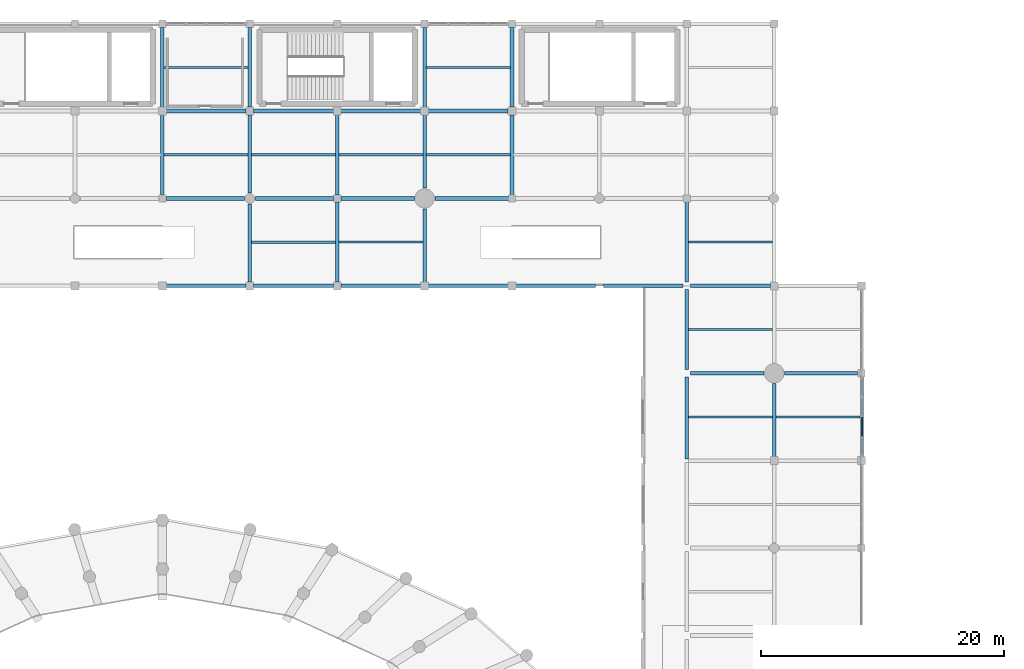
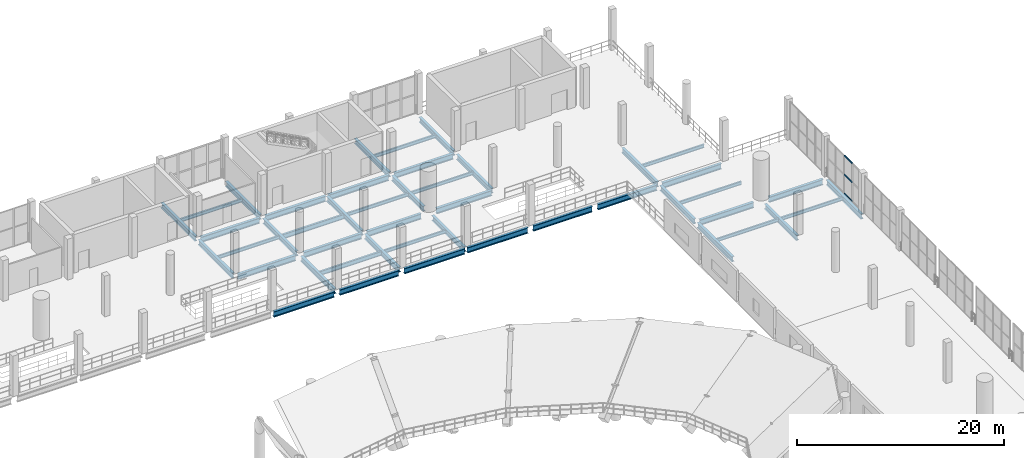
# One storey, part 52 of 105: 46 beams, 3 members, 1 element without a shape of its own.
"""IFC4 building model written with IfcOpenShell, lengths in metres."""

from ifc_helpers import new_model, si_unit, direction, frame, origin, origin_2d, place, context, subcontext, project, spatial, hollow_rectangle, i_section, extrude, material, material_profile, profile_set, type_object, element, aggregate, save


model = new_model("IFC4")

# Units and contexts
model_context = context("Model", 3, precision=1e-05, world=origin(), true_north=direction((0.0, 1.0)))
body_context = subcontext(model_context, "Body", "Model", "MODEL_VIEW")
ifc_project = project(units=[si_unit("LENGTHUNIT", "METRE"), si_unit("AREAUNIT", "SQUARE_METRE"), si_unit("VOLUMEUNIT", "CUBIC_METRE"), si_unit("PLANEANGLEUNIT", "RADIAN"), si_unit("MASSUNIT", "GRAM", prefix="KILO")], contexts=[model_context])

# Site, building, storey
site_placement = place(None, origin())
site = spatial("IfcSite", under=ifc_project, at=site_placement, CompositionType="ELEMENT")
building_placement = place(site_placement, origin())
building = spatial("IfcBuilding", under=site, at=building_placement, Name="Qandorah Velis Arena", CompositionType="ELEMENT")
storey_placement = place(building_placement, frame((0.0, 0.0, 13.800048828125)))
storey = spatial("IfcBuildingStorey", under=building, at=storey_placement, Name="L03", CompositionType="ELEMENT", Elevation=13.800048828125)

# Curtain wall, members
ifc_material_1 = material(Name="Solar-control low-E double glazing", Category="glass")
curtain_wall_type = type_object("IfcCurtainWallType", Name="ARC-CW-SYS09", PredefinedType="USERDEFINED", material=ifc_material_1)
curtain_wall_placement = place(storey_placement, origin())
curtain_wall = element("IfcCurtainWall", 1, at=curtain_wall_placement, inside=storey, type_object=curtain_wall_type, Name="Unitised curtain wall L03-177", ObjectType="UNITISED CURTAIN WALL", PredefinedType="USERDEFINED")
ifc_material_2 = material(Name="Champagne-bronze anodized aluminium 6063-T6", Category="aluminium")
ifc_material_profile_1 = material_profile(ifc_material_2, hollow_rectangle(XDim=0.074951171875, YDim=0.159912109375, WallThickness=0.00341796875, at=origin_2d()), Name="ALU TRANSOM 75x160")
ifc_profile_set_1 = profile_set([ifc_material_profile_1], Name="Champagne-bronze anodized aluminium 6063-T6")
member_type = type_object("IfcMemberType", Name="ARC-CWT-160", PredefinedType="USERDEFINED", material=ifc_profile_set_1)
member_1_placement = place(storey_placement, frame((122.39990234375, 95.606689453125, 0.037353515625), z_axis=(0.0, 1.0, 0.0), x_axis=(-1.0, 0.0, 0.0)))
member_1 = element("IfcMember", 2, at=member_1_placement, type_object=member_type, Name="CW09 transom 2.1", ObjectType="TRANSOM", PredefinedType="USERDEFINED", context=body_context, shape_type="SweptSolid", body=[
    extrude(hollow_rectangle(XDim=0.074951171875, YDim=0.159912109375, WallThickness=0.00341796875, at=origin_2d()), origin(), (0.0, 0.0, 1.0), 1.580322265625),
])
member_2_placement = place(storey_placement, frame((122.39990234375, 95.606689453125, 2.264892578125), z_axis=(0.0, 1.0, 0.0), x_axis=(-1.0, 0.0, 0.0)))
member_2 = element("IfcMember", 3, at=member_2_placement, type_object=member_type, Name="CW09 transom 2.2", ObjectType="TRANSOM", PredefinedType="USERDEFINED", context=body_context, shape_type="SweptSolid", body=[
    extrude(hollow_rectangle(XDim=0.074951171875, YDim=0.159912109375, WallThickness=0.00341796875, at=origin_2d()), origin(), (0.0, 0.0, 1.0), 1.580322265625),
])
member_3_placement = place(storey_placement, frame((122.39990234375, 95.606689453125, 4.492431640625), z_axis=(0.0, 1.0, 0.0), x_axis=(-1.0, 0.0, 0.0)))
member_3 = element("IfcMember", 4, at=member_3_placement, type_object=member_type, Name="CW09 transom 2.3", ObjectType="TRANSOM", PredefinedType="USERDEFINED", context=body_context, shape_type="SweptSolid", body=[
    extrude(hollow_rectangle(XDim=0.074951171875, YDim=0.159912109375, WallThickness=0.00341796875, at=origin_2d()), origin(), (0.0, 0.0, 1.0), 1.580322265625),
])
aggregate(curtain_wall, [member_1, member_2, member_3])

# Beams
ifc_material_3 = material(Name="Steel S355", Category="steel")
ifc_material_profile_2 = material_profile(ifc_material_3, i_section(OverallWidth=0.300048828125, OverallDepth=0.60009765625, WebThickness=0.015380859375, FlangeThickness=0.030029296875, FilletRadius=0.027099609375, at=origin_2d()), Name="HEB 600")
ifc_profile_set_2 = profile_set([ifc_material_profile_2], Name="Steel S355")
beam_type_1 = type_object("IfcBeamType", Name="STR-BM-HEB600", PredefinedType="BEAM", material=ifc_profile_set_2)
beam_1_placement = place(storey_placement, frame((64.800048828125, 115.52490234375, -0.6201171875), z_axis=(0.0, 1.0, 0.0), x_axis=(-1.0, 0.0, 0.0)))
element("IfcBeam", 5, at=beam_1_placement, inside=storey, type_object=beam_type_1, Name="Primary floor girder L03 Y-256", PredefinedType="BEAM", context=body_context, shape_type="SweptSolid", body=[
    extrude(i_section(OverallWidth=0.300048828125, OverallDepth=0.60009765625, WebThickness=0.015380859375, FlangeThickness=0.030029296875, FilletRadius=0.027099609375, at=origin_2d()), origin(), (0.0, 0.0, 1.0), 6.5751953125),
])
beam_2_placement = place(storey_placement, frame((64.800048828125, 122.699951171875, -0.6201171875), z_axis=(0.0, 1.0, 0.0), x_axis=(-1.0, 0.0, 0.0)))
element("IfcBeam", 6, at=beam_2_placement, inside=storey, type_object=beam_type_1, Name="Primary floor girder L03 Y-257", PredefinedType="BEAM", context=body_context, shape_type="SweptSolid", body=[
    extrude(i_section(OverallWidth=0.300048828125, OverallDepth=0.60009765625, WebThickness=0.015380859375, FlangeThickness=0.030029296875, FilletRadius=0.027099609375, at=origin_2d()), origin(), (0.0, 0.0, 1.0), 6.60009765625),
])
beam_3_placement = place(storey_placement, frame((72.0, 108.300048828125, -0.6201171875), z_axis=(0.0, 1.0, 0.0), x_axis=(-1.0, 0.0, 0.0)))
element("IfcBeam", 7, at=beam_3_placement, inside=storey, type_object=beam_type_1, Name="Primary floor girder L03 Y-261", PredefinedType="BEAM", context=body_context, shape_type="SweptSolid", body=[
    extrude(i_section(OverallWidth=0.300048828125, OverallDepth=0.60009765625, WebThickness=0.015380859375, FlangeThickness=0.030029296875, FilletRadius=0.027099609375, at=origin_2d()), origin(), (0.0, 0.0, 1.0), 6.449951171875),
])
beam_4_placement = place(storey_placement, frame((72.0, 115.64990234375, -0.6201171875), z_axis=(0.0, 1.0, 0.0), x_axis=(-1.0, 0.0, 0.0)))
element("IfcBeam", 8, at=beam_4_placement, inside=storey, type_object=beam_type_1, Name="Primary floor girder L03 Y-262", PredefinedType="BEAM", context=body_context, shape_type="SweptSolid", body=[
    extrude(i_section(OverallWidth=0.300048828125, OverallDepth=0.60009765625, WebThickness=0.015380859375, FlangeThickness=0.030029296875, FilletRadius=0.027099609375, at=origin_2d()), origin(), (0.0, 0.0, 1.0), 6.425048828125),
])
for number, where, z_axis, x_axis, name in (
    (9, (72.0, 122.72509765625, -0.6201171875), (0.0, 1.0, 0.0), (-1.0, 0.0, 0.0), "Primary floor girder L03 Y-263"),
    (10, (79.199951171875, 108.324951171875, -0.6201171875), (0.0, 1.0, 0.0), (-1.0, 0.0, 0.0), "Primary floor girder L03 Y-266"),
):
    element("IfcBeam", number, at=place(storey_placement, frame(where, z_axis=z_axis, x_axis=x_axis)), inside=storey, type_object=beam_type_1, Name=name, PredefinedType="BEAM", context=body_context, shape_type="SweptSolid", body=[
        extrude(i_section(OverallWidth=0.300048828125, OverallDepth=0.60009765625, WebThickness=0.015380859375, FlangeThickness=0.030029296875, FilletRadius=0.027099609375, at=origin_2d()), origin(), (0.0, 0.0, 1.0), 6.574951171875),
    ])
beam_5_placement = place(storey_placement, frame((79.199951171875, 115.5, -0.6201171875), z_axis=(0.0, 1.0, 0.0), x_axis=(-1.0, 0.0, 0.0)))
element("IfcBeam", 11, at=beam_5_placement, inside=storey, type_object=beam_type_1, Name="Primary floor girder L03 Y-267", PredefinedType="BEAM", context=body_context, shape_type="SweptSolid", body=[
    extrude(i_section(OverallWidth=0.300048828125, OverallDepth=0.60009765625, WebThickness=0.015380859375, FlangeThickness=0.030029296875, FilletRadius=0.027099609375, at=origin_2d()), origin(), (0.0, 0.0, 1.0), 6.75),
])
beam_6_placement = place(storey_placement, frame((86.39990234375, 108.14990234375, -0.6201171875), z_axis=(0.0, 1.0, 0.0), x_axis=(-1.0, 0.0, 0.0)))
element("IfcBeam", 12, at=beam_6_placement, inside=storey, type_object=beam_type_1, Name="Primary floor girder L03 Y-271", PredefinedType="BEAM", context=body_context, shape_type="SweptSolid", body=[
    extrude(i_section(OverallWidth=0.300048828125, OverallDepth=0.60009765625, WebThickness=0.015380859375, FlangeThickness=0.030029296875, FilletRadius=0.027099609375, at=origin_2d()), origin(), (0.0, 0.0, 1.0), 6.2001953125),
])
beam_7_placement = place(storey_placement, frame((86.39990234375, 116.050048828125, -0.6201171875), z_axis=(0.0, 1.0, 0.0), x_axis=(-1.0, 0.0, 0.0)))
element("IfcBeam", 13, at=beam_7_placement, inside=storey, type_object=beam_type_1, Name="Primary floor girder L03 Y-272", PredefinedType="BEAM", context=body_context, shape_type="SweptSolid", body=[
    extrude(i_section(OverallWidth=0.300048828125, OverallDepth=0.60009765625, WebThickness=0.015380859375, FlangeThickness=0.030029296875, FilletRadius=0.027099609375, at=origin_2d()), origin(), (0.0, 0.0, 1.0), 6.050048828125),
])
beam_8_placement = place(storey_placement, frame((86.39990234375, 122.699951171875, -0.6201171875), z_axis=(0.0, 1.0, 0.0), x_axis=(-1.0, 0.0, 0.0)))
element("IfcBeam", 14, at=beam_8_placement, inside=storey, type_object=beam_type_1, Name="Primary floor girder L03 Y-273", PredefinedType="BEAM", context=body_context, shape_type="SweptSolid", body=[
    extrude(i_section(OverallWidth=0.300048828125, OverallDepth=0.60009765625, WebThickness=0.015380859375, FlangeThickness=0.030029296875, FilletRadius=0.027099609375, at=origin_2d()), origin(), (0.0, 0.0, 1.0), 6.60009765625),
])
beam_9_placement = place(storey_placement, frame((93.60009765625, 115.35009765625, -0.6201171875), z_axis=(0.0, 1.0, 0.0), x_axis=(-1.0, 0.0, 0.0)))
element("IfcBeam", 15, at=beam_9_placement, inside=storey, type_object=beam_type_1, Name="Primary floor girder L03 Y-276", PredefinedType="BEAM", context=body_context, shape_type="SweptSolid", body=[
    extrude(i_section(OverallWidth=0.300048828125, OverallDepth=0.60009765625, WebThickness=0.015380859375, FlangeThickness=0.030029296875, FilletRadius=0.027099609375, at=origin_2d()), origin(), (0.0, 0.0, 1.0), 6.724853515625),
])
beam_10_placement = place(storey_placement, frame((93.60009765625, 122.72509765625, -0.6201171875), z_axis=(0.0, 1.0, 0.0), x_axis=(-1.0, 0.0, 0.0)))
element("IfcBeam", 16, at=beam_10_placement, inside=storey, type_object=beam_type_1, Name="Primary floor girder L03 Y-277", PredefinedType="BEAM", context=body_context, shape_type="SweptSolid", body=[
    extrude(i_section(OverallWidth=0.300048828125, OverallDepth=0.60009765625, WebThickness=0.015380859375, FlangeThickness=0.030029296875, FilletRadius=0.027099609375, at=origin_2d()), origin(), (0.0, 0.0, 1.0), 6.574951171875),
])
beam_11_placement = place(storey_placement, frame((108.0, 93.75, -0.6201171875), z_axis=(0.0, 1.0, 0.0), x_axis=(-1.0, 0.0, 0.0)))
element("IfcBeam", 17, at=beam_11_placement, inside=storey, type_object=beam_type_1, Name="Primary floor girder L03 Y-294", PredefinedType="BEAM", context=body_context, shape_type="SweptSolid", body=[
    extrude(i_section(OverallWidth=0.300048828125, OverallDepth=0.60009765625, WebThickness=0.015380859375, FlangeThickness=0.030029296875, FilletRadius=0.027099609375, at=origin_2d()), origin(), (0.0, 0.0, 1.0), 6.72509765625),
])
beam_12_placement = place(storey_placement, frame((108.0, 101.125, -0.6201171875), z_axis=(0.0, 1.0, 0.0), x_axis=(-1.0, 0.0, 0.0)))
element("IfcBeam", 18, at=beam_12_placement, inside=storey, type_object=beam_type_1, Name="Primary floor girder L03 Y-295", PredefinedType="BEAM", context=body_context, shape_type="SweptSolid", body=[
    extrude(i_section(OverallWidth=0.300048828125, OverallDepth=0.60009765625, WebThickness=0.015380859375, FlangeThickness=0.030029296875, FilletRadius=0.027099609375, at=origin_2d()), origin(), (0.0, 0.0, 1.0), 6.574951171875),
])
beam_13_placement = place(storey_placement, frame((108.0, 108.300048828125, -0.6201171875), z_axis=(0.0, 1.0, 0.0), x_axis=(-1.0, 0.0, 0.0)))
element("IfcBeam", 19, at=beam_13_placement, inside=storey, type_object=beam_type_1, Name="Primary floor girder L03 Y-296", PredefinedType="BEAM", context=body_context, shape_type="SweptSolid", body=[
    extrude(i_section(OverallWidth=0.300048828125, OverallDepth=0.60009765625, WebThickness=0.015380859375, FlangeThickness=0.030029296875, FilletRadius=0.027099609375, at=origin_2d()), origin(), (0.0, 0.0, 1.0), 6.75),
])
beam_14_placement = place(storey_placement, frame((115.199951171875, 93.75, -0.6201171875), z_axis=(0.0, 1.0, 0.0), x_axis=(-1.0, 0.0, 0.0)))
element("IfcBeam", 20, at=beam_14_placement, inside=storey, type_object=beam_type_1, Name="Primary floor girder L03 Y-311", PredefinedType="BEAM", context=body_context, shape_type="SweptSolid", body=[
    extrude(i_section(OverallWidth=0.300048828125, OverallDepth=0.60009765625, WebThickness=0.015380859375, FlangeThickness=0.030029296875, FilletRadius=0.027099609375, at=origin_2d()), origin(), (0.0, 0.0, 1.0), 6.199951171875),
])
beam_15_placement = place(storey_placement, frame((122.39990234375, 93.75, -0.6201171875), z_axis=(0.0, 1.0, 0.0), x_axis=(-1.0, 0.0, 0.0)))
element("IfcBeam", 21, at=beam_15_placement, inside=storey, type_object=beam_type_1, Name="Primary floor girder L03 Y-321", PredefinedType="BEAM", context=body_context, shape_type="SweptSolid", body=[
    extrude(i_section(OverallWidth=0.300048828125, OverallDepth=0.60009765625, WebThickness=0.015380859375, FlangeThickness=0.030029296875, FilletRadius=0.027099609375, at=origin_2d()), origin(), (0.0, 0.0, 1.0), 6.72509765625),
])
ifc_material_profile_3 = material_profile(ifc_material_3, i_section(OverallWidth=0.300048828125, OverallDepth=0.64990234375, WebThickness=0.01611328125, FlangeThickness=0.031005859375, FilletRadius=0.027099609375, at=origin_2d()), Name="HEB 650")
ifc_profile_set_3 = profile_set([ifc_material_profile_3], Name="Steel S355")
beam_type_2 = type_object("IfcBeamType", Name="STR-BM-HEB650", PredefinedType="BEAM", material=ifc_profile_set_3)
beam_16_placement = place(storey_placement, frame((108.324951171875, 100.800048828125, -0.64501953125), z_axis=(1.0, 0.0, 0.0), x_axis=(0.0, 1.0, 0.0)))
element("IfcBeam", 22, at=beam_16_placement, inside=storey, type_object=beam_type_2, Name="Primary floor girder L03 X-119", PredefinedType="BEAM", context=body_context, shape_type="SweptSolid", body=[
    extrude(i_section(OverallWidth=0.300048828125, OverallDepth=0.64990234375, WebThickness=0.01611328125, FlangeThickness=0.031005859375, FilletRadius=0.027099609375, at=origin_2d()), origin(), (0.0, 0.0, 1.0), 6.025146484375),
])
beam_17_placement = place(storey_placement, frame((116.050048828125, 100.800048828125, -0.64501953125), z_axis=(1.0, 0.0, 0.0), x_axis=(0.0, 1.0, 0.0)))
element("IfcBeam", 23, at=beam_17_placement, inside=storey, type_object=beam_type_2, Name="Primary floor girder L03 X-120", PredefinedType="BEAM", context=body_context, shape_type="SweptSolid", body=[
    extrude(i_section(OverallWidth=0.300048828125, OverallDepth=0.64990234375, WebThickness=0.01611328125, FlangeThickness=0.031005859375, FilletRadius=0.027099609375, at=origin_2d()), origin(), (0.0, 0.0, 1.0), 6.02490234375),
])
beam_18_placement = place(storey_placement, frame((64.949951171875, 108.0, -0.64501953125), z_axis=(1.0, 0.0, 0.0), x_axis=(0.0, 1.0, 0.0)))
element("IfcBeam", 24, at=beam_18_placement, inside=storey, type_object=beam_type_2, Name="Primary floor girder L03 X-130", PredefinedType="BEAM", context=body_context, shape_type="SweptSolid", body=[
    extrude(i_section(OverallWidth=0.300048828125, OverallDepth=0.64990234375, WebThickness=0.01611328125, FlangeThickness=0.031005859375, FilletRadius=0.027099609375, at=origin_2d()), origin(), (0.0, 0.0, 1.0), 6.75),
])
beam_19_placement = place(storey_placement, frame((72.300048828125, 108.0, -0.64501953125), z_axis=(1.0, 0.0, 0.0), x_axis=(0.0, 1.0, 0.0)))
element("IfcBeam", 25, at=beam_19_placement, inside=storey, type_object=beam_type_2, Name="Primary floor girder L03 X-131", PredefinedType="BEAM", context=body_context, shape_type="SweptSolid", body=[
    extrude(i_section(OverallWidth=0.300048828125, OverallDepth=0.64990234375, WebThickness=0.01611328125, FlangeThickness=0.031005859375, FilletRadius=0.027099609375, at=origin_2d()), origin(), (0.0, 0.0, 1.0), 6.574951171875),
])
beam_20_placement = place(storey_placement, frame((79.52490234375, 108.0, -0.64501953125), z_axis=(1.0, 0.0, 0.0), x_axis=(0.0, 1.0, 0.0)))
element("IfcBeam", 26, at=beam_20_placement, inside=storey, type_object=beam_type_2, Name="Primary floor girder L03 X-132", PredefinedType="BEAM", context=body_context, shape_type="SweptSolid", body=[
    extrude(i_section(OverallWidth=0.300048828125, OverallDepth=0.64990234375, WebThickness=0.01611328125, FlangeThickness=0.031005859375, FilletRadius=0.027099609375, at=origin_2d()), origin(), (0.0, 0.0, 1.0), 6.72509765625),
])
beam_21_placement = place(storey_placement, frame((86.550048828125, 108.0, -0.64501953125), z_axis=(1.0, 0.0, 0.0), x_axis=(0.0, 1.0, 0.0)))
element("IfcBeam", 27, at=beam_21_placement, inside=storey, type_object=beam_type_2, Name="Primary floor girder L03 X-133", PredefinedType="BEAM", context=body_context, shape_type="SweptSolid", body=[
    extrude(i_section(OverallWidth=0.300048828125, OverallDepth=0.64990234375, WebThickness=0.01611328125, FlangeThickness=0.031005859375, FilletRadius=0.027099609375, at=origin_2d()), origin(), (0.0, 0.0, 1.0), 6.75),
])
beam_22_placement = place(storey_placement, frame((93.89990234375, 108.0, -0.64501953125), z_axis=(1.0, 0.0, 0.0), x_axis=(0.0, 1.0, 0.0)))
element("IfcBeam", 28, at=beam_22_placement, inside=storey, type_object=beam_type_2, Name="Primary floor girder L03 X-134", PredefinedType="BEAM", context=body_context, shape_type="SweptSolid", body=[
    extrude(i_section(OverallWidth=0.300048828125, OverallDepth=0.64990234375, WebThickness=0.01611328125, FlangeThickness=0.031005859375, FilletRadius=0.027099609375, at=origin_2d()), origin(), (0.0, 0.0, 1.0), 6.5751953125),
])
beam_23_placement = place(storey_placement, frame((101.125, 108.0, -0.64501953125), z_axis=(1.0, 0.0, 0.0), x_axis=(0.0, 1.0, 0.0)))
element("IfcBeam", 29, at=beam_23_placement, inside=storey, type_object=beam_type_2, Name="Primary floor girder L03 X-135", PredefinedType="BEAM", context=body_context, shape_type="SweptSolid", body=[
    extrude(i_section(OverallWidth=0.300048828125, OverallDepth=0.64990234375, WebThickness=0.01611328125, FlangeThickness=0.031005859375, FilletRadius=0.027099609375, at=origin_2d()), origin(), (0.0, 0.0, 1.0), 6.574951171875),
])
beam_24_placement = place(storey_placement, frame((108.300048828125, 108.0, -0.64501953125), z_axis=(1.0, 0.0, 0.0), x_axis=(0.0, 1.0, 0.0)))
element("IfcBeam", 30, at=beam_24_placement, inside=storey, type_object=beam_type_2, Name="Primary floor girder L03 X-136", PredefinedType="BEAM", context=body_context, shape_type="SweptSolid", body=[
    extrude(i_section(OverallWidth=0.300048828125, OverallDepth=0.64990234375, WebThickness=0.01611328125, FlangeThickness=0.031005859375, FilletRadius=0.027099609375, at=origin_2d()), origin(), (0.0, 0.0, 1.0), 6.599853515625),
])
beam_25_placement = place(storey_placement, frame((65.125, 115.199951171875, -0.64501953125), z_axis=(1.0, 0.0, 0.0), x_axis=(0.0, 1.0, 0.0)))
element("IfcBeam", 31, at=beam_25_placement, inside=storey, type_object=beam_type_2, Name="Primary floor girder L03 X-147", PredefinedType="BEAM", context=body_context, shape_type="SweptSolid", body=[
    extrude(i_section(OverallWidth=0.300048828125, OverallDepth=0.64990234375, WebThickness=0.01611328125, FlangeThickness=0.031005859375, FilletRadius=0.027099609375, at=origin_2d()), origin(), (0.0, 0.0, 1.0), 6.425048828125),
])
beam_26_placement = place(storey_placement, frame((72.449951171875, 115.199951171875, -0.64501953125), z_axis=(1.0, 0.0, 0.0), x_axis=(0.0, 1.0, 0.0)))
element("IfcBeam", 32, at=beam_26_placement, inside=storey, type_object=beam_type_2, Name="Primary floor girder L03 X-148", PredefinedType="BEAM", context=body_context, shape_type="SweptSolid", body=[
    extrude(i_section(OverallWidth=0.300048828125, OverallDepth=0.64990234375, WebThickness=0.01611328125, FlangeThickness=0.031005859375, FilletRadius=0.027099609375, at=origin_2d()), origin(), (0.0, 0.0, 1.0), 6.449951171875),
])
beam_27_placement = place(storey_placement, frame((79.5, 115.199951171875, -0.64501953125), z_axis=(1.0, 0.0, 0.0), x_axis=(0.0, 1.0, 0.0)))
element("IfcBeam", 33, at=beam_27_placement, inside=storey, type_object=beam_type_2, Name="Primary floor girder L03 X-149", PredefinedType="BEAM", context=body_context, shape_type="SweptSolid", body=[
    extrude(i_section(OverallWidth=0.300048828125, OverallDepth=0.64990234375, WebThickness=0.01611328125, FlangeThickness=0.031005859375, FilletRadius=0.027099609375, at=origin_2d()), origin(), (0.0, 0.0, 1.0), 6.050048828125),
])
beam_28_placement = place(storey_placement, frame((87.25, 115.199951171875, -0.64501953125), z_axis=(1.0, 0.0, 0.0), x_axis=(0.0, 1.0, 0.0)))
element("IfcBeam", 34, at=beam_28_placement, inside=storey, type_object=beam_type_2, Name="Primary floor girder L03 X-150", PredefinedType="BEAM", context=body_context, shape_type="SweptSolid", body=[
    extrude(i_section(OverallWidth=0.300048828125, OverallDepth=0.64990234375, WebThickness=0.01611328125, FlangeThickness=0.031005859375, FilletRadius=0.027099609375, at=origin_2d()), origin(), (0.0, 0.0, 1.0), 6.199951171875),
])
beam_29_placement = place(storey_placement, frame((65.10009765625, 122.39990234375, -0.64501953125), z_axis=(1.0, 0.0, 0.0), x_axis=(0.0, 1.0, 0.0)))
element("IfcBeam", 35, at=beam_29_placement, inside=storey, type_object=beam_type_2, Name="Primary floor girder L03 X-159", PredefinedType="BEAM", context=body_context, shape_type="SweptSolid", body=[
    extrude(i_section(OverallWidth=0.300048828125, OverallDepth=0.64990234375, WebThickness=0.01611328125, FlangeThickness=0.031005859375, FilletRadius=0.027099609375, at=origin_2d()), origin(), (0.0, 0.0, 1.0), 6.574951171875),
])
beam_30_placement = place(storey_placement, frame((72.324951171875, 122.39990234375, -0.64501953125), z_axis=(1.0, 0.0, 0.0), x_axis=(0.0, 1.0, 0.0)))
element("IfcBeam", 36, at=beam_30_placement, inside=storey, type_object=beam_type_2, Name="Primary floor girder L03 X-160", PredefinedType="BEAM", context=body_context, shape_type="SweptSolid", body=[
    extrude(i_section(OverallWidth=0.300048828125, OverallDepth=0.64990234375, WebThickness=0.01611328125, FlangeThickness=0.031005859375, FilletRadius=0.027099609375, at=origin_2d()), origin(), (0.0, 0.0, 1.0), 6.72509765625),
])
beam_31_placement = place(storey_placement, frame((79.35009765625, 122.39990234375, -0.64501953125), z_axis=(1.0, 0.0, 0.0), x_axis=(0.0, 1.0, 0.0)))
element("IfcBeam", 37, at=beam_31_placement, inside=storey, type_object=beam_type_2, Name="Primary floor girder L03 X-161", PredefinedType="BEAM", context=body_context, shape_type="SweptSolid", body=[
    extrude(i_section(OverallWidth=0.300048828125, OverallDepth=0.64990234375, WebThickness=0.01611328125, FlangeThickness=0.031005859375, FilletRadius=0.027099609375, at=origin_2d()), origin(), (0.0, 0.0, 1.0), 6.75),
])
beam_32_placement = place(storey_placement, frame((86.699951171875, 122.39990234375, -0.64501953125), z_axis=(1.0, 0.0, 0.0), x_axis=(0.0, 1.0, 0.0)))
element("IfcBeam", 38, at=beam_32_placement, inside=storey, type_object=beam_type_2, Name="Primary floor girder L03 X-162", PredefinedType="BEAM", context=body_context, shape_type="SweptSolid", body=[
    extrude(i_section(OverallWidth=0.300048828125, OverallDepth=0.64990234375, WebThickness=0.01611328125, FlangeThickness=0.031005859375, FilletRadius=0.027099609375, at=origin_2d()), origin(), (0.0, 0.0, 1.0), 6.574951171875),
])
ifc_material_profile_4 = material_profile(ifc_material_3, i_section(OverallWidth=0.179931640625, OverallDepth=0.39990234375, WebThickness=0.008544921875, FlangeThickness=0.013427734375, FilletRadius=0.02099609375, at=origin_2d()), Name="IPE 400")
ifc_profile_set_4 = profile_set([ifc_material_profile_4], Name="Steel S355")
beam_type_3 = type_object("IfcBeamType", Name="STR-JST-IPE400", PredefinedType="JOIST", material=ifc_profile_set_4)
for number, where, z_axis, x_axis, name in (
    (39, (64.93505859375, 118.800048828125, -0.52001953125), (1.0, 0.0, 0.0), (0.0, 1.0, 0.0), "Secondary floor joist L03-053"),
    (40, (64.93505859375, 126.0, -0.52001953125), (1.0, 0.0, 0.0), (0.0, 1.0, 0.0), "Secondary floor joist L03-054"),
    (41, (79.3349609375, 111.60009765625, -0.52001953125), (1.0, 0.0, 0.0), (0.0, 1.0, 0.0), "Secondary floor joist L03-061"),
    (42, (79.3349609375, 118.800048828125, -0.52001953125), (1.0, 0.0, 0.0), (0.0, 1.0, 0.0), "Secondary floor joist L03-062"),
):
    element("IfcBeam", number, at=place(storey_placement, frame(where, z_axis=z_axis, x_axis=x_axis)), inside=storey, type_object=beam_type_3, Name=name, PredefinedType="JOIST", context=body_context, shape_type="SweptSolid", body=[
        extrude(i_section(OverallWidth=0.179931640625, OverallDepth=0.39990234375, WebThickness=0.008544921875, FlangeThickness=0.013427734375, FilletRadius=0.02099609375, at=origin_2d()), origin(), (0.0, 0.0, 1.0), 6.929931640625),
    ])
for number, where, z_axis, x_axis, name in (
    (43, (86.534912109375, 118.800048828125, -0.52001953125), (1.0, 0.0, 0.0), (0.0, 1.0, 0.0), "Secondary floor joist L03-065"),
    (44, (86.534912109375, 126.0, -0.52001953125), (1.0, 0.0, 0.0), (0.0, 1.0, 0.0), "Secondary floor joist L03-066"),
):
    element("IfcBeam", number, at=place(storey_placement, frame(where, z_axis=z_axis, x_axis=x_axis)), inside=storey, type_object=beam_type_3, Name=name, PredefinedType="JOIST", context=body_context, shape_type="SweptSolid", body=[
        extrude(i_section(OverallWidth=0.179931640625, OverallDepth=0.39990234375, WebThickness=0.008544921875, FlangeThickness=0.013427734375, FilletRadius=0.02099609375, at=origin_2d()), origin(), (0.0, 0.0, 1.0), 6.93017578125),
    ])
for number, where, z_axis, x_axis, name in (
    (45, (108.135009765625, 97.199951171875, -0.52001953125), (1.0, 0.0, 0.0), (0.0, 1.0, 0.0), "Secondary floor joist L03-084"),
    (46, (108.135009765625, 104.39990234375, -0.52001953125), (1.0, 0.0, 0.0), (0.0, 1.0, 0.0), "Secondary floor joist L03-085"),
    (47, (108.135009765625, 111.60009765625, -0.52001953125), (1.0, 0.0, 0.0), (0.0, 1.0, 0.0), "Secondary floor joist L03-086"),
    (48, (115.3349609375, 97.199951171875, -0.52001953125), (1.0, 0.0, 0.0), (0.0, 1.0, 0.0), "Secondary floor joist L03-092"),
):
    element("IfcBeam", number, at=place(storey_placement, frame(where, z_axis=z_axis, x_axis=x_axis)), inside=storey, type_object=beam_type_3, Name=name, PredefinedType="JOIST", context=body_context, shape_type="SweptSolid", body=[
        extrude(i_section(OverallWidth=0.179931640625, OverallDepth=0.39990234375, WebThickness=0.008544921875, FlangeThickness=0.013427734375, FilletRadius=0.02099609375, at=origin_2d()), origin(), (0.0, 0.0, 1.0), 6.929931640625),
    ])
ifc_material_profile_5 = material_profile(ifc_material_3, i_section(OverallWidth=0.199951171875, OverallDepth=0.5, WebThickness=0.01025390625, FlangeThickness=0.01611328125, FilletRadius=0.02099609375, at=origin_2d()), Name="IPE 500")
ifc_profile_set_5 = profile_set([ifc_material_profile_5], Name="Steel S355")
beam_type_4 = type_object("IfcBeamType", Name="STR-JST-IPE500", PredefinedType="JOIST", material=ifc_profile_set_5)
beam_33_placement = place(storey_placement, frame((72.135009765625, 111.60009765625, -0.570068359375), z_axis=(1.0, 0.0, 0.0), x_axis=(0.0, 1.0, 0.0)))
element("IfcBeam", 49, at=beam_33_placement, inside=storey, type_object=beam_type_4, Name="Secondary floor joist L03-057", PredefinedType="JOIST", context=body_context, shape_type="SweptSolid", body=[
    extrude(i_section(OverallWidth=0.199951171875, OverallDepth=0.5, WebThickness=0.01025390625, FlangeThickness=0.01611328125, FilletRadius=0.02099609375, at=origin_2d()), origin(), (0.0, 0.0, 1.0), 6.929931640625),
])
ifc_material_profile_6 = material_profile(ifc_material_3, i_section(OverallWidth=0.2099609375, OverallDepth=0.550048828125, WebThickness=0.010986328125, FlangeThickness=0.01708984375, FilletRadius=0.02392578125, at=origin_2d()), Name="IPE 550")
ifc_profile_set_6 = profile_set([ifc_material_profile_6], Name="Steel S355")
beam_type_5 = type_object("IfcBeamType", Name="STR-JST-IPE550", PredefinedType="JOIST", material=ifc_profile_set_6)
beam_34_placement = place(storey_placement, frame((72.135009765625, 118.800048828125, -0.594970703125), z_axis=(1.0, 0.0, 0.0), x_axis=(0.0, 1.0, 0.0)))
element("IfcBeam", 50, at=beam_34_placement, inside=storey, type_object=beam_type_5, Name="Secondary floor joist L03-058", PredefinedType="JOIST", context=body_context, shape_type="SweptSolid", body=[
    extrude(i_section(OverallWidth=0.2099609375, OverallDepth=0.550048828125, WebThickness=0.010986328125, FlangeThickness=0.01708984375, FilletRadius=0.02392578125, at=origin_2d()), origin(), (0.0, 0.0, 1.0), 6.929931640625),
])

save(model, "model.ifc")
